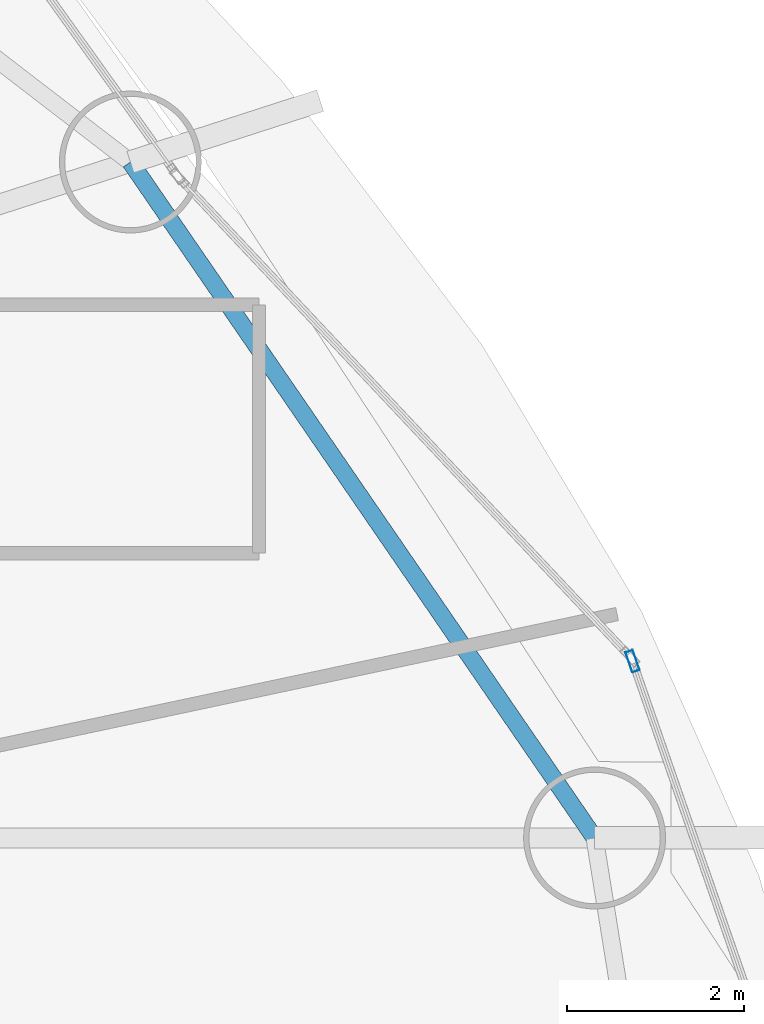
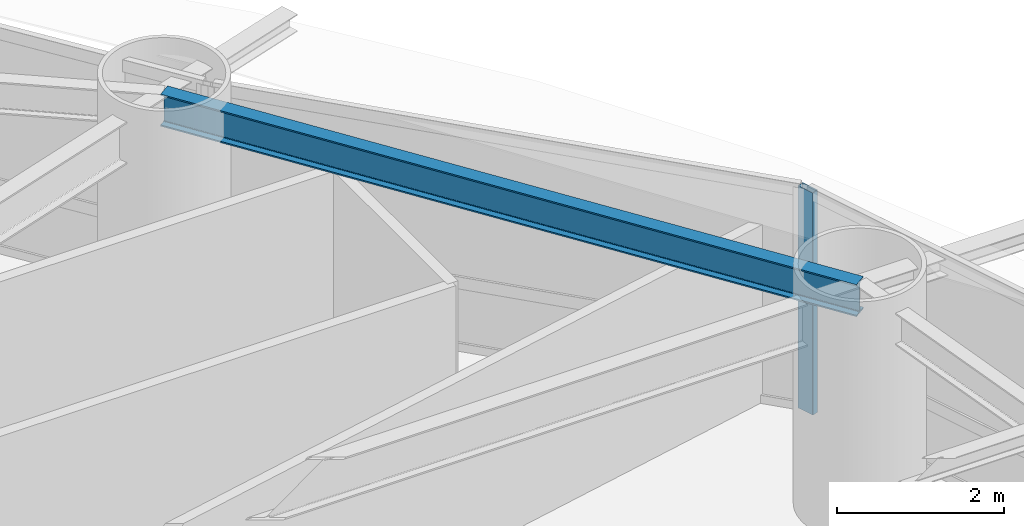
# One storey, part 12 of 27: 1 beam, 1 member, 1 element without a shape of its own.
"""IFC4 building model written with IfcOpenShell, lengths in metres."""

from ifc_helpers import new_model, si_unit, direction, frame, origin, origin_2d, place, context, subcontext, project, spatial, hollow_rectangle, i_section, extrude, material, layer, layer_set, material_profile, profile_set, type_object, element, aggregate, save


model = new_model("IFC4")

# Units and contexts
model_context = context("Model", 3, precision=1e-05, world=origin(), true_north=direction((0.0, 1.0)))
body_context = subcontext(model_context, "Body", "Model", "MODEL_VIEW")
ifc_project = project(units=[si_unit("LENGTHUNIT", "METRE"), si_unit("AREAUNIT", "SQUARE_METRE"), si_unit("VOLUMEUNIT", "CUBIC_METRE"), si_unit("PLANEANGLEUNIT", "RADIAN"), si_unit("MASSUNIT", "GRAM", prefix="KILO")], contexts=[model_context])

# Site, building, storey
site_placement = place(None, origin())
site = spatial("IfcSite", under=ifc_project, at=site_placement, CompositionType="ELEMENT")
building_placement = place(site_placement, origin())
building = spatial("IfcBuilding", under=site, at=building_placement, Name="Bramvorn Convention Spire", CompositionType="ELEMENT")
storey_placement = place(building_placement, frame((0.0, 0.0, 79.89990234375)))
storey = spatial("IfcBuildingStorey", under=building, at=storey_placement, Name="L18", CompositionType="ELEMENT", Elevation=79.89990234375)

# Beam
ifc_material_1 = material(Name="Steel CSA G40.21 Grade 350 (350W)", Category="steel")
ifc_material_profile_1 = material_profile(ifc_material_1, i_section(OverallWidth=0.194091796875, OverallDepth=0.468994140625, WebThickness=0.0126953125, FlangeThickness=0.0205078125, FilletRadius=0.01806640625, at=origin_2d()))
ifc_profile_set_1 = profile_set([ifc_material_profile_1], Name="Steel CSA G40.21 Grade 350 (350W) - W460X106")
beam_type = type_object("IfcBeamType", Name="BM-W460X106", PredefinedType="SPANDREL", material=ifc_profile_set_1)
beam_placement = place(storey_placement, frame((65.338623046875, 29.340087890625, 3.015625), z_axis=(-0.566129730789, 0.824316157743, 0.0), x_axis=(-0.824316157743, -0.566129730789, 0.0)))
element("IfcBeam", 1, at=beam_placement, inside=storey, type_object=beam_type, Name="L18 mega-column ring beam 02", PredefinedType="SPANDREL", context=body_context, shape_type="SweptSolid", body=[
    extrude(i_section(OverallWidth=0.194091796875, OverallDepth=0.468994140625, WebThickness=0.0126953125, FlangeThickness=0.0205078125, FilletRadius=0.01806640625, at=origin_2d()), origin(), (0.0, 0.0, 1.0), 9.244140625),
])

# Curtain wall, member
ifc_material_2 = material(Name="Anodised Bronze Unitised Curtain Wall", Category="aluminium")
ifc_layer = layer(ifc_material_2, 0.219970703125)
ifc_layer_set = layer_set([ifc_layer], Name="Anodised Bronze Unitised Curtain Wall - CW-SKYGARDEN")
curtain_wall_type = type_object("IfcCurtainWallType", Name="CW-SKYGARDEN", PredefinedType="USERDEFINED", material=ifc_layer_set)
curtain_wall_placement = place(storey_placement, origin())
curtain_wall = element("IfcCurtainWall", 2, at=curtain_wall_placement, inside=storey, type_object=curtain_wall_type, Name="L18 Sky Garden glazed facade 02", ObjectType="WINTER GARDEN GLAZING", PredefinedType="USERDEFINED")
ifc_material_3 = material(Name="Anodised Bronze Aluminium 6063-T6", Category="aluminium")
ifc_material_profile_2 = material_profile(ifc_material_3, hollow_rectangle(XDim=0.090087890625, YDim=0.239990234375, WallThickness=0.00439453125, InnerFilletRadius=0.0009765625, OuterFilletRadius=0.00439453125, at=origin_2d()))
ifc_profile_set_2 = profile_set([ifc_material_profile_2], Name="Anodised Bronze Aluminium 6063-T6 - CWM90X240")
member_type = type_object("IfcMemberType", Name="CW-MUL-220", PredefinedType="MULLION", material=ifc_profile_set_2)
member_placement = place(storey_placement, frame((65.766357421875, 31.33349609375, 0.0), z_axis=(0.0, 0.0, 1.0), x_axis=(0.94482576935, 0.327573298015, 0.0)))
member = element("IfcMember", 3, at=member_placement, type_object=member_type, Name="CW4 mullion 1", PredefinedType="MULLION", context=body_context, shape_type="SweptSolid", body=[
    extrude(hollow_rectangle(XDim=0.090087890625, YDim=0.239990234375, WallThickness=0.00439453125, InnerFilletRadius=0.0009765625, OuterFilletRadius=0.00439453125, at=origin_2d()), origin(), (0.0, 0.0, 1.0), 3.25),
])
aggregate(curtain_wall, [member])

save(model, "model.ifc")
